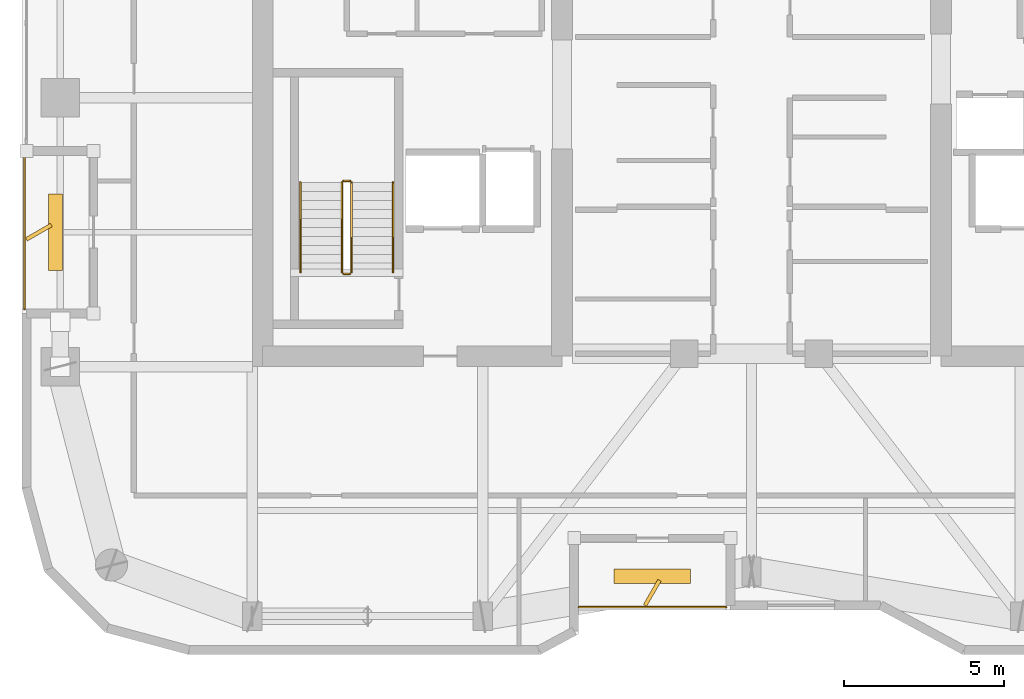
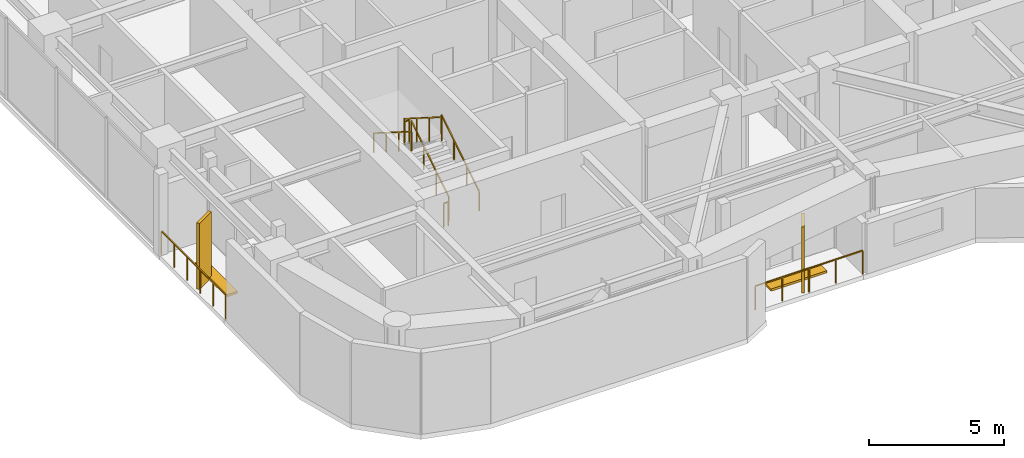
# One storey, part 19 of 21: 8 railings, 4 shading devices.
"""IFC4 building model written with IfcOpenShell, lengths in metres."""

from ifc_helpers import new_model, si_unit, direction, frame, origin, origin_2d, place, context, subcontext, project, spatial, rectangle, extrude, material, type_object, element, save


model = new_model("IFC4")

# Units and contexts
model_context = context("Model", 3, precision=1e-05, world=origin(), true_north=direction((0.0, 1.0)))
body_context = subcontext(model_context, "Body", "Model", "MODEL_VIEW")
ifc_project = project(units=[si_unit("LENGTHUNIT", "METRE"), si_unit("AREAUNIT", "SQUARE_METRE"), si_unit("VOLUMEUNIT", "CUBIC_METRE"), si_unit("PLANEANGLEUNIT", "RADIAN"), si_unit("MASSUNIT", "GRAM", prefix="KILO")], contexts=[model_context])

# Site, building, storey
site_placement = place(None, origin())
site = spatial("IfcSite", under=ifc_project, at=site_placement, CompositionType="ELEMENT")
building_placement = place(site_placement, origin())
building = spatial("IfcBuilding", under=site, at=building_placement, Name="Kiyonajd Concourse Tower", CompositionType="ELEMENT")
storey_placement = place(building_placement, frame((0.0, 0.0, 227.10009765625)))
storey = spatial("IfcBuildingStorey", under=building, at=storey_placement, Name="L57", CompositionType="ELEMENT", Elevation=227.10009765625)

# Railings
ifc_material_1 = material(Name="Thermally Broken Anodised Aluminium", Category="aluminium")
railing_type_1 = type_object("IfcRailingType", Name="RL-GRD-LOG", PredefinedType="GUARDRAIL", material=ifc_material_1)
railing_1_placement = place(storey_placement, frame((42.60009765625, 20.080078125, 0.0)))
element("IfcRailing", 1, at=railing_1_placement, inside=storey, type_object=railing_type_1, Name="L57 Engawa Loggia Perimeter Guard LOG-S", PredefinedType="GUARDRAIL", context=body_context, shape_type="SweptSolid", body=[
    extrude(rectangle(XDim=0.048095703125, YDim=0.048095703125, at=origin_2d()), frame((0.0, 0.0, 1.076171875), z_axis=(1.0, 0.0, 0.0), x_axis=(0.0, 1.0, 0.0)), (0.0, 0.0, 1.0), 4.599853515625),
    extrude(rectangle(XDim=0.0419921875, YDim=0.0419921875, at=origin_2d()), origin(), (0.0, 0.0, 1.0), 1.052001953125),
    extrude(rectangle(XDim=0.0419921875, YDim=0.0419921875, at=origin_2d()), frame((1.14990234375, 0.0, 0.0)), (0.0, 0.0, 1.0), 1.052001953125),
    extrude(rectangle(XDim=0.0419921875, YDim=0.0419921875, at=origin_2d()), frame((2.2998046875, 0.0, 0.0)), (0.0, 0.0, 1.0), 1.052001953125),
    extrude(rectangle(XDim=0.0419921875, YDim=0.0419921875, at=origin_2d()), frame((3.449951171875, 0.0, 0.0)), (0.0, 0.0, 1.0), 1.052001953125),
    extrude(rectangle(XDim=0.0419921875, YDim=0.0419921875, at=origin_2d()), frame((4.599853515625, 0.0, 0.0)), (0.0, 0.0, 1.0), 1.052001953125),
])
railing_2_placement = place(storey_placement, frame((25.280029296875, 34.199951171875, 0.0)))
element("IfcRailing", 2, at=railing_2_placement, inside=storey, type_object=railing_type_1, Name="L57 Engawa Loggia Perimeter Guard LOG-W", PredefinedType="GUARDRAIL", context=body_context, shape_type="SweptSolid", body=[
    extrude(rectangle(XDim=0.048095703125, YDim=0.048095703125, at=origin_2d()), frame((0.0, 0.0, 1.076171875), z_axis=(0.0, -1.0, 0.0), x_axis=(1.0, 0.0, 0.0)), (0.0, 0.0, 1.0), 4.800048828125),
    extrude(rectangle(XDim=0.0419921875, YDim=0.0419921875, at=origin_2d()), origin(), (0.0, 0.0, 1.0), 1.052001953125),
    extrude(rectangle(XDim=0.0419921875, YDim=0.0419921875, at=origin_2d()), frame((0.0, -0.9599609375, 0.0)), (0.0, 0.0, 1.0), 1.052001953125),
    extrude(rectangle(XDim=0.0419921875, YDim=0.0419921875, at=origin_2d()), frame((0.0, -1.919921875, 0.0)), (0.0, 0.0, 1.0), 1.052001953125),
    extrude(rectangle(XDim=0.0419921875, YDim=0.0419921875, at=origin_2d()), frame((0.0, -2.880126953125, 0.0)), (0.0, 0.0, 1.0), 1.052001953125),
    extrude(rectangle(XDim=0.0419921875, YDim=0.0419921875, at=origin_2d()), frame((0.0, -3.840087890625, 0.0)), (0.0, 0.0, 1.0), 1.052001953125),
    extrude(rectangle(XDim=0.0419921875, YDim=0.0419921875, at=origin_2d()), frame((0.0, -4.800048828125, 0.0)), (0.0, 0.0, 1.0), 1.052001953125),
])
ifc_material_2 = material(Name="Steel ASTM A500 Grade C", Category="steel")
railing_type_2 = type_object("IfcRailingType", Name="RL-GRD-STR", PredefinedType="GUARDRAIL", material=ifc_material_2)
railing_3_placement = place(storey_placement, frame((35.5, 30.550048828125, 0.17724609375)))
element("IfcRailing", 3, at=railing_3_placement, inside=storey, type_object=railing_type_2, Name="L57 ST1 stair guard 1", PredefinedType="GUARDRAIL", context=body_context, shape_type="SweptSolid", body=[
    extrude(rectangle(XDim=0.048095703125, YDim=0.048095703125, at=origin_2d()), frame((0.0, 0.0, 1.076171875), z_axis=(0.0, 0.844908973607, 0.534910110503), x_axis=(-1.0, 0.0, 0.0)), (0.0, 0.0, 1.0), 3.31396484375),
    extrude(rectangle(XDim=0.0419921875, YDim=0.0419921875, at=origin_2d()), origin(), (0.0, 0.0, 1.0), 1.052001953125),
    extrude(rectangle(XDim=0.0419921875, YDim=0.0419921875, at=origin_2d()), frame((0.0, 0.933349609375, 0.5908203125)), (0.0, 0.0, 1.0), 1.052001953125),
    extrude(rectangle(XDim=0.0419921875, YDim=0.0419921875, at=origin_2d()), frame((0.0, 1.86669921875, 1.181884765625)), (0.0, 0.0, 1.0), 1.052001953125),
    extrude(rectangle(XDim=0.0419921875, YDim=0.0419921875, at=origin_2d()), frame((0.0, 2.800048828125, 1.772705078125)), (0.0, 0.0, 1.0), 1.052001953125),
])
railing_4_placement = place(storey_placement, frame((35.449951171875, 33.39990234375, 1.949951171875)))
element("IfcRailing", 4, at=railing_4_placement, inside=storey, type_object=railing_type_2, Name="L57 ST1 stair guard 2", PredefinedType="GUARDRAIL", context=body_context, shape_type="SweptSolid", body=[
    extrude(rectangle(XDim=0.048095703125, YDim=0.048095703125, at=origin_2d()), frame((0.0, 0.0, 1.076171875), z_axis=(-1.0, 0.0, 0.0), x_axis=(0.0, -1.0, 0.0)), (0.0, 0.0, 1.0), 0.199951171875),
    extrude(rectangle(XDim=0.0419921875, YDim=0.0419921875, at=origin_2d()), origin(), (0.0, 0.0, 1.0), 1.052001953125),
    extrude(rectangle(XDim=0.0419921875, YDim=0.0419921875, at=origin_2d()), frame((-0.199951171875, 0.0, 0.0)), (0.0, 0.0, 1.0), 1.052001953125),
])
railing_5_placement = place(storey_placement, frame((35.199951171875, 33.35009765625, 2.127197265625)))
element("IfcRailing", 5, at=railing_5_placement, inside=storey, type_object=railing_type_2, Name="L57 ST1 stair guard 3", PredefinedType="GUARDRAIL", context=body_context, shape_type="SweptSolid", body=[
    extrude(rectangle(XDim=0.048095703125, YDim=0.048095703125, at=origin_2d()), frame((0.0, 0.0, 1.076171875), z_axis=(0.0, -0.844908973607, 0.534910110503), x_axis=(1.0, 0.0, 0.0)), (0.0, 0.0, 1.0), 3.31396484375),
    extrude(rectangle(XDim=0.0419921875, YDim=0.0419921875, at=origin_2d()), origin(), (0.0, 0.0, 1.0), 1.052001953125),
    extrude(rectangle(XDim=0.0419921875, YDim=0.0419921875, at=origin_2d()), frame((0.0, -0.933349609375, 0.5908203125)), (0.0, 0.0, 1.0), 1.052001953125),
    extrude(rectangle(XDim=0.0419921875, YDim=0.0419921875, at=origin_2d()), frame((0.0, -1.86669921875, 1.181884765625)), (0.0, 0.0, 1.0), 1.052001953125),
    extrude(rectangle(XDim=0.0419921875, YDim=0.0419921875, at=origin_2d()), frame((0.0, -2.800048828125, 1.772705078125)), (0.0, 0.0, 1.0), 1.052001953125),
])
railing_6_placement = place(storey_placement, frame((35.449951171875, 30.5, 0.0)))
element("IfcRailing", 6, at=railing_6_placement, inside=storey, type_object=railing_type_2, Name="L57 ST1 stair guard 4", PredefinedType="GUARDRAIL", context=body_context, shape_type="SweptSolid", body=[
    extrude(rectangle(XDim=0.048095703125, YDim=0.048095703125, at=origin_2d()), frame((0.0, 0.0, 1.076171875), z_axis=(-1.0, 0.0, 0.0), x_axis=(0.0, -1.0, 0.0)), (0.0, 0.0, 1.0), 0.199951171875),
    extrude(rectangle(XDim=0.0419921875, YDim=0.0419921875, at=origin_2d()), origin(), (0.0, 0.0, 1.0), 1.052001953125),
    extrude(rectangle(XDim=0.0419921875, YDim=0.0419921875, at=origin_2d()), frame((-0.199951171875, 0.0, 0.0)), (0.0, 0.0, 1.0), 1.052001953125),
])
ifc_material_3 = material(Name="Brushed Stainless Steel Cab Assembly", Category="steel")
railing_type_3 = type_object("IfcRailingType", Name="RL-HND-900", PredefinedType="HANDRAIL", material=ifc_material_3)
railing_7_placement = place(storey_placement, frame((36.800048828125, 30.550048828125, 0.17724609375)))
element("IfcRailing", 7, at=railing_7_placement, inside=storey, type_object=railing_type_3, Name="L57 ST1 stair handrail 1", PredefinedType="HANDRAIL", context=body_context, shape_type="SweptSolid", body=[
    extrude(rectangle(XDim=0.048095703125, YDim=0.048095703125, at=origin_2d()), frame((0.0, 0.0, 0.8759765625), z_axis=(0.0, 0.844908973607, 0.534910110503), x_axis=(-1.0, 0.0, 0.0)), (0.0, 0.0, 1.0), 3.31396484375),
    extrude(rectangle(XDim=0.0419921875, YDim=0.0419921875, at=origin_2d()), origin(), (0.0, 0.0, 1.0), 0.851806640625),
    extrude(rectangle(XDim=0.0419921875, YDim=0.0419921875, at=origin_2d()), frame((0.0, 0.933349609375, 0.5908203125)), (0.0, 0.0, 1.0), 0.851806640625),
    extrude(rectangle(XDim=0.0419921875, YDim=0.0419921875, at=origin_2d()), frame((0.0, 1.86669921875, 1.181884765625)), (0.0, 0.0, 1.0), 0.851806640625),
    extrude(rectangle(XDim=0.0419921875, YDim=0.0419921875, at=origin_2d()), frame((0.0, 2.800048828125, 1.772705078125)), (0.0, 0.0, 1.0), 0.851806640625),
])
railing_8_placement = place(storey_placement, frame((33.89990234375, 33.35009765625, 2.127197265625)))
element("IfcRailing", 8, at=railing_8_placement, inside=storey, type_object=railing_type_3, Name="L57 ST1 stair handrail 2", PredefinedType="HANDRAIL", context=body_context, shape_type="SweptSolid", body=[
    extrude(rectangle(XDim=0.048095703125, YDim=0.048095703125, at=origin_2d()), frame((0.0, 0.0, 0.8759765625), z_axis=(0.0, -0.844908973607, 0.534910110503), x_axis=(1.0, 0.0, 0.0)), (0.0, 0.0, 1.0), 3.31396484375),
    extrude(rectangle(XDim=0.0419921875, YDim=0.0419921875, at=origin_2d()), origin(), (0.0, 0.0, 1.0), 0.851806640625),
    extrude(rectangle(XDim=0.0419921875, YDim=0.0419921875, at=origin_2d()), frame((0.0, -0.933349609375, 0.5908203125)), (0.0, 0.0, 1.0), 0.851806640625),
    extrude(rectangle(XDim=0.0419921875, YDim=0.0419921875, at=origin_2d()), frame((0.0, -1.86669921875, 1.181884765625)), (0.0, 0.0, 1.0), 0.851806640625),
    extrude(rectangle(XDim=0.0419921875, YDim=0.0419921875, at=origin_2d()), frame((0.0, -2.800048828125, 1.772705078125)), (0.0, 0.0, 1.0), 0.851806640625),
])

# Shading devices
ifc_material_4 = material(Name="Precast concrete C50/60", Category="concrete")
shading_device_type_1 = type_object("IfcShadingDeviceType", Name="SH-FIN-900", PredefinedType="USERDEFINED", material=ifc_material_4)
for number, where, z_axis, x_axis, name in (
    (9, (44.89990234375, 20.530029296875, 0.0), (0.0, 0.0, 1.0), (0.5, 0.866025403784, 0.0), "L57 Angled Koshi Solar Fin LOG-S"),
    (10, (25.72998046875, 31.800048828125, 0.0), (0.0, 0.0, 1.0), (0.866025403784, 0.5, 0.0), "L57 Angled Koshi Solar Fin LOG-W"),
):
    element("IfcShadingDevice", number, at=place(storey_placement, frame(where, z_axis=z_axis, x_axis=x_axis)), inside=storey, type_object=shading_device_type_1, Name=name, ObjectType="FIN", PredefinedType="USERDEFINED", context=body_context, shape_type="SweptSolid", body=[
        extrude(rectangle(XDim=0.89990234375, YDim=0.1201171875, at=origin_2d()), origin(), (0.0, 0.0, 1.0), 3.0),
    ])
shading_device_type_2 = type_object("IfcShadingDeviceType", Name="SH-LVR-600", PredefinedType="JALOUSIE", material=ifc_material_1)
for number, where, z_axis, x_axis, name in (
    (11, (44.89990234375, 21.050048828125, -0.000244140625), (0.0, 0.0, 1.0), (1.0, 0.0, 0.0), "L57 Loggia Threshold Louver LOG-S"),
    (12, (26.25, 31.800048828125, -0.000244140625), (0.0, 0.0, 1.0), (0.0, 1.0, 0.0), "L57 Loggia Threshold Louver LOG-W"),
):
    element("IfcShadingDevice", number, at=place(storey_placement, frame(where, z_axis=z_axis, x_axis=x_axis)), inside=storey, type_object=shading_device_type_2, Name=name, PredefinedType="JALOUSIE", context=body_context, shape_type="SweptSolid", body=[
        extrude(rectangle(XDim=2.39990234375, YDim=0.449951171875, at=origin_2d()), origin(), (0.0, 0.0, 1.0), 0.10009765625),
    ])

save(model, "model.ifc")
